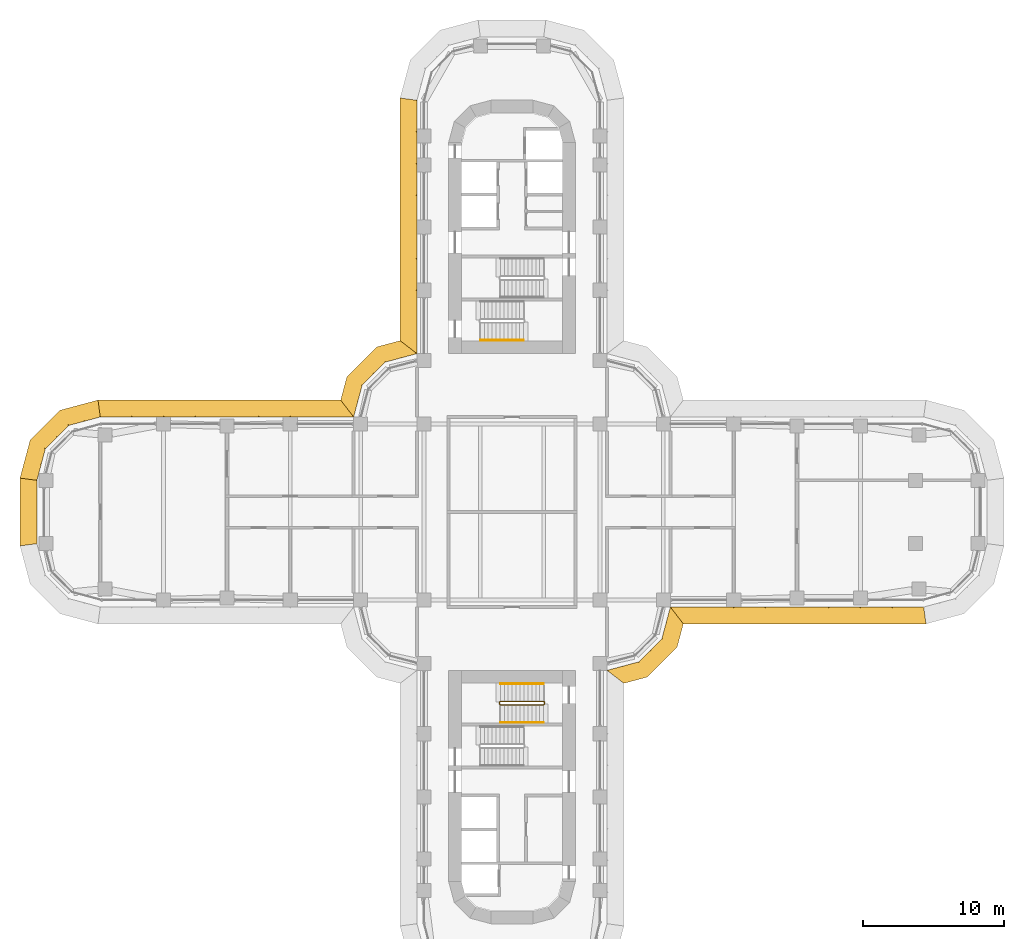
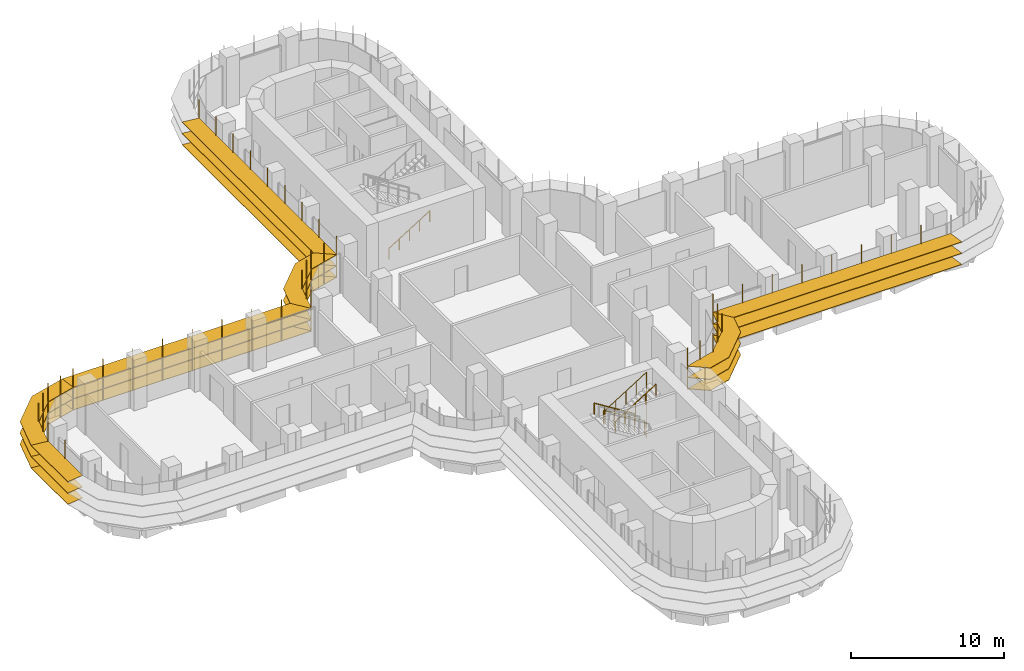
# One storey, part 21 of 23: 7 shading devices, 4 railings.
"""IFC4 building model written with IfcOpenShell, lengths in metres."""

import ifcopenshell
import ifcopenshell.guid

model = None  # the IFC model being written
_history = None  # IfcOwnerHistory: only IFC2X3 demands one
_inside = {}  # id of a spatial element -> (the spatial element, [elements in it])
_under = {}  # id of a project, library or spatial element -> (it, [spatial elements below it])
_declared = {}  # id of a project -> (the project, [libraries it declares])
_typed = {}  # id of a type object -> (the type object, [elements of that type])
_made_of = {}  # id of a material, layer set ... -> (it, [elements and type objects made of it])


def new_model(schema):
    """Start an empty IFC model of exactly this schema.

    Asked for "IFC4X3", IfcOpenShell would pick the latest addendum, in which some entities
    have other attributes; the version numbers below select the first issue.
    IFC2X3 requires an IfcOwnerHistory on every rooted entity: one is made here for all.
    """
    global model, _history
    if schema == "IFC4X3":
        model = ifcopenshell.file(schema_version=(4, 3, 0, 0))
    else:
        model = ifcopenshell.file(schema=schema)
    _inside.clear()
    _under.clear()
    _declared.clear()
    _typed.clear()
    _made_of.clear()
    _history = None
    if model.schema == "IFC2X3":
        org = make("IfcOrganization", Name="unknown")
        user = make(
            "IfcPersonAndOrganization",
            ThePerson=make("IfcPerson", FamilyName="unknown"),
            TheOrganization=org,
        )
        app = make(
            "IfcApplication",
            ApplicationDeveloper=org,
            Version="unknown",
            ApplicationFullName="unknown",
            ApplicationIdentifier="unknown",
        )
        _history = make(
            "IfcOwnerHistory",
            OwningUser=user,
            OwningApplication=app,
            ChangeAction="ADDED",
            CreationDate=0,
        )
    return model


def make(cls, **values):
    """One entity of the class cls with the attributes given. An attribute that is None is left unset."""
    return model.create_entity(
        cls, **{name: value for name, value in values.items() if value is not None}
    )


def rooted(cls, **values):
    """An entity with a GlobalId (a new one), such as an element, a storey or a relation."""
    return make(cls, GlobalId=ifcopenshell.guid.new(), OwnerHistory=_history, **values)


def si_unit(unit_type, name, prefix=None):
    """IfcSIUnit, for example si_unit("LENGTHUNIT", "METRE", prefix="MILLI")."""
    return make("IfcSIUnit", UnitType=unit_type, Prefix=prefix, Name=name)


def assignment(units):
    """IfcUnitAssignment: the units of a project."""
    return None if units is None else make("IfcUnitAssignment", Units=units)


def point(xyz):
    """IfcCartesianPoint."""
    return None if xyz is None else make("IfcCartesianPoint", Coordinates=xyz)


def direction(xyz):
    """IfcDirection."""
    return None if xyz is None else make("IfcDirection", DirectionRatios=xyz)


def frame(location, z_axis=None, x_axis=None):
    """IfcAxis2Placement3D, a coordinate frame: its origin and axes. An axis left out is left unset."""
    return make(
        "IfcAxis2Placement3D",
        Location=point(location),
        Axis=direction(z_axis),
        RefDirection=direction(x_axis),
    )


def frame_2d(location, x_axis=None):
    """IfcAxis2Placement2D, a coordinate frame in the plane: its origin and x axis."""
    return make(
        "IfcAxis2Placement2D", Location=point(location), RefDirection=direction(x_axis)
    )


def origin():
    """The frame at (0, 0, 0) with its axes left unset."""
    return frame((0.0, 0.0, 0.0))


def origin_2d():
    """The frame at (0, 0) in the plane with its x axis left unset."""
    return frame_2d((0.0, 0.0))


def place(relative_to, where):
    """IfcLocalPlacement: puts the frame where relative to a parent placement (None: the world)."""
    return make(
        "IfcLocalPlacement", PlacementRelTo=relative_to, RelativePlacement=where
    )


def context(
    kind, dimensions, precision=None, world=None, true_north=None, identifier=None
):
    """IfcGeometricRepresentationContext, for example the 3D "Model" context."""
    return make(
        "IfcGeometricRepresentationContext",
        ContextIdentifier=identifier,
        ContextType=kind,
        CoordinateSpaceDimension=dimensions,
        Precision=precision,
        WorldCoordinateSystem=world,
        TrueNorth=true_north,
    )


def subcontext(parent, identifier, kind, view, scale=None):
    """IfcGeometricRepresentationSubContext, for example "Body" below "Model"."""
    return make(
        "IfcGeometricRepresentationSubContext",
        ContextIdentifier=identifier,
        ContextType=kind,
        ParentContext=parent,
        TargetScale=scale,
        TargetView=view,
    )


def project(units=None, contexts=None):
    """IfcProject with its units and contexts."""
    return rooted(
        "IfcProject",
        Name="project",
        RepresentationContexts=contexts,
        UnitsInContext=assignment(units),
    )


def spatial(cls, under=None, at=None, **own):
    """A site, building, storey or space (cls), placed at a placement, below another one or the project."""
    s = rooted(cls, ObjectPlacement=at, **own)
    if under is not None:
        _under.setdefault(under.id(), (under, []))[1].append(s)
    return s


def polyline(points):
    """IfcPolyline through the points."""
    return make("IfcPolyline", Points=[point(p) for p in points])


def profile(cls, at=None, kind="AREA", **sizes):
    """A parametric profile (cls). Its sizes go by their IFC names, for example OverallWidth=200.0."""
    return make(cls, ProfileType=kind, Position=at, **sizes)


def circle(**sizes):
    """IfcCircleProfileDef."""
    return profile("IfcCircleProfileDef", **sizes)


def outline(outer, holes=None, kind="AREA"):
    """IfcArbitraryClosedProfileDef: a profile drawn as a closed curve; with holes, ...WithVoids."""
    if holes is None:
        return make("IfcArbitraryClosedProfileDef", ProfileType=kind, OuterCurve=outer)
    return make(
        "IfcArbitraryProfileDefWithVoids",
        ProfileType=kind,
        OuterCurve=outer,
        InnerCurves=holes,
    )


def extrude(swept, where, along, depth):
    """IfcExtrudedAreaSolid: the profile swept, set in the frame where, extruded along a direction by depth."""
    return make(
        "IfcExtrudedAreaSolid",
        SweptArea=swept,
        Position=where,
        ExtrudedDirection=direction(along),
        Depth=depth,
    )


def faces_of(points, faces, orient=None, outer=None):
    """IfcFace entities. A face is a list of loops; a loop is a list of indices into points, from 0.

    orient and outer hold one flag for each loop. By default every Orientation is true, the
    first loop of a face is its IfcFaceOuterBound and the others are IfcFaceBound.
    """
    made = []
    for i, loops in enumerate(faces):
        bounds = []
        for j, loop in enumerate(loops):
            is_outer = j == 0 if outer is None else outer[i][j]
            bounds.append(
                make(
                    "IfcFaceOuterBound" if is_outer else "IfcFaceBound",
                    Bound=make("IfcPolyLoop", Polygon=[points[k] for k in loop]),
                    Orientation=True if orient is None else orient[i][j],
                )
            )
        made.append(make("IfcFace", Bounds=bounds))
    return made


def faceted_brep(points, faces, orient=None, outer=None, voids=None):
    """IfcFacetedBrep: a solid bounded by flat faces; with voids (closed shells), ...WithVoids."""
    shared = [point(p) for p in points]
    hull = make("IfcClosedShell", CfsFaces=faces_of(shared, faces, orient, outer))
    if voids is None:
        return make("IfcFacetedBrep", Outer=hull)
    return make(
        "IfcFacetedBrepWithVoids",
        Outer=hull,
        Voids=[
            make(cls, CfsFaces=faces_of(shared, fs, o, b)) for cls, fs, o, b in voids
        ],
    )


def shape(context_of_items, identifier, shape_type, items):
    """IfcShapeRepresentation: the items that make up one representation, for example the "Body"."""
    return make(
        "IfcShapeRepresentation",
        ContextOfItems=context_of_items,
        RepresentationIdentifier=identifier,
        RepresentationType=shape_type,
        Items=items,
    )


def source(mapping_origin, context_of_items, identifier, shape_type, items):
    """IfcRepresentationMap: a shape defined once, which mapped items show again and again."""
    return make(
        "IfcRepresentationMap",
        MappingOrigin=mapping_origin,
        MappedRepresentation=shape(context_of_items, identifier, shape_type, items),
    )


def transform(
    local_origin,
    x_axis=None,
    y_axis=None,
    z_axis=None,
    scale=None,
    scale2=None,
    scale3=None,
    uniform=True,
):
    """IfcCartesianTransformationOperator3D, or its non-uniform kind. x_axis, y_axis, z_axis: its Axis1, 2, 3."""
    if uniform:
        return make(
            "IfcCartesianTransformationOperator3D",
            Axis1=direction(x_axis),
            Axis2=direction(y_axis),
            LocalOrigin=point(local_origin),
            Scale=scale,
            Axis3=direction(z_axis),
        )
    return make(
        "IfcCartesianTransformationOperator3DnonUniform",
        Axis1=direction(x_axis),
        Axis2=direction(y_axis),
        LocalOrigin=point(local_origin),
        Scale=scale,
        Axis3=direction(z_axis),
        Scale2=scale2,
        Scale3=scale3,
    )


def mapped(mapping_source, mapping_target):
    """IfcMappedItem: shows the shape of a source again, moved by a transform."""
    return make(
        "IfcMappedItem", MappingSource=mapping_source, MappingTarget=mapping_target
    )


def material(Name=None, Category=None):
    """IfcMaterial."""
    return make("IfcMaterial", Name=Name, Category=Category)


def made_of(thing, what):
    """Note that an element or type object is made of a material, layer set ...; save() writes the relation."""
    if what is not None:
        _made_of.setdefault(what.id(), (what, []))[1].append(thing)
    return thing


def type_object(cls, material=None, **own):
    """A type object (cls), such as IfcWallType, which elements share."""
    return made_of(rooted(cls, **own), material)


def element(
    cls,
    number,
    at=None,
    inside=None,
    cuts=None,
    type_object=None,
    material=None,
    context=None,
    identifier="Body",
    shape_type=None,
    held_by="IfcProductDefinitionShape",
    body=None,
    shapes=None,
    **own,
):
    """One element of the class cls, such as IfcWall. Its Tag is "e" and its number.

    at: its placement. inside: the storey or other place that contains it. cuts: it is an
    opening in that element (IfcRelVoidsElement). A single representation is given by context,
    identifier, shape_type and body (its items); several are given by shapes. held_by: the class
    of the entity that holds the representations. save() writes the other relations.
    """
    e = rooted(cls, Tag="e%d" % number, ObjectPlacement=at, **own)
    if body is not None:
        shapes = [shape(context, identifier, shape_type, body)]
    if shapes is not None:
        e.Representation = make(held_by, Representations=shapes)
    if inside is not None:
        _inside.setdefault(inside.id(), (inside, []))[1].append(e)
    if cuts is not None:
        rooted(
            "IfcRelVoidsElement", RelatingBuildingElement=cuts, RelatedOpeningElement=e
        )
    if type_object is not None:
        _typed.setdefault(type_object.id(), (type_object, []))[1].append(e)
    return made_of(e, material)


def aggregate(whole, parts):
    """IfcRelAggregates: a whole, such as a stair, and the parts it consists of."""
    return rooted("IfcRelAggregates", RelatingObject=whole, RelatedObjects=parts)


def save(model, path):
    """Write the relations noted so far, then the file.

    IfcRelAggregates (storeys below a building ...), IfcRelContainedInSpatialStructure (elements
    in a storey), IfcRelDefinesByType, IfcRelAssociatesMaterial and IfcRelDeclares: one each for
    every whole, place, type object, material and project.
    """
    for whole, parts in _under.values():
        aggregate(whole, parts)
    for where, things in _inside.values():
        rooted(
            "IfcRelContainedInSpatialStructure",
            RelatedElements=things,
            RelatingStructure=where,
        )
    for kind, things in _typed.values():
        rooted("IfcRelDefinesByType", RelatedObjects=things, RelatingType=kind)
    for what, things in _made_of.values():
        rooted("IfcRelAssociatesMaterial", RelatedObjects=things, RelatingMaterial=what)
    for by, libraries in _declared.values():
        rooted("IfcRelDeclares", RelatingContext=by, RelatedDefinitions=libraries)
    model.write(path)


model = new_model("IFC4")

# Units and contexts
model_context = context("Model", 3, precision=1e-05, world=origin(), true_north=direction((0.0, 1.0)))
body_context = subcontext(model_context, "Body", "Model", "MODEL_VIEW")
ifc_project = project(units=[si_unit("LENGTHUNIT", "METRE"), si_unit("AREAUNIT", "SQUARE_METRE"), si_unit("VOLUMEUNIT", "CUBIC_METRE"), si_unit("PLANEANGLEUNIT", "RADIAN"), si_unit("MASSUNIT", "GRAM", prefix="KILO")], contexts=[model_context])

# Site, building, storey
site_placement = place(None, origin())
site = spatial("IfcSite", under=ifc_project, at=site_placement, CompositionType="ELEMENT")
building_placement = place(site_placement, origin())
building = spatial("IfcBuilding", under=site, at=building_placement, Name="Zarbagh Exchange Tower", CompositionType="ELEMENT")
storey_placement = place(building_placement, frame((0.0, 0.0, 43.800048828125)))
storey = spatial("IfcBuildingStorey", under=building, at=storey_placement, Name="L09", CompositionType="ELEMENT", Elevation=43.800048828125)

# Railings
ifc_material_1 = material(Name="Stainless steel", Category="steel")
railing_type_1 = type_object("IfcRailingType", Name="Stair guard 1100 mm", PredefinedType="GUARDRAIL", material=ifc_material_1)
railing_1_placement = place(storey_placement, frame((-0.8798828125, -13.5, 2.099853515625)))
element("IfcRailing", 1, at=railing_1_placement, inside=storey, type_object=railing_type_1, Name="ST4 stair guard 1", PredefinedType="GUARDRAIL", context=body_context, shape_type="SweptSolid", body=[
    extrude(circle(Radius=0.02392578125, at=origin_2d()), frame((0.0, 0.0, 1.076171875), z_axis=(0.0, -1.0, 0.0), x_axis=(1.0, 0.0, 0.0)), (0.0, 0.0, 1.0), 0.14990234375),
    extrude(circle(Radius=0.02392578125, at=origin_2d()), frame((0.0, -0.14990234375, 1.076171875), z_axis=(0.263862480399, -0.265155923931, 0.927399011991), x_axis=(0.708833529934, 0.705375805398, 0.0)), (0.0, 0.0, 1.0), 0.188720703125),
    extrude(circle(Radius=0.02392578125, at=origin_2d()), frame((0.0498046875, -0.199951171875, 1.2509765625), z_axis=(0.847998304005, 0.0, 0.529998940003), x_axis=(0.0, 1.0, 0.0)), (0.0, 0.0, 1.0), 3.632080078125),
    extrude(circle(Radius=0.02392578125, at=origin_2d()), frame((3.1298828125, -0.199951171875, 3.17626953125), z_axis=(0.011914834358, 0.011914834358, -0.999858026644), x_axis=(-0.707106781187, 0.707106781187, 0.0)), (0.0, 0.0, 1.0), 4.200439453125),
    extrude(circle(Radius=0.02392578125, at=origin_2d()), frame((3.179931640625, -0.14990234375, -1.02392578125), z_axis=(0.0, 1.0, 0.0), x_axis=(-1.0, 0.0, 0.0)), (0.0, 0.0, 1.0), 0.14990234375),
    extrude(circle(Radius=0.02392578125, at=origin_2d()), frame((3.179931640625, 0.0, -1.02392578125), z_axis=(-0.265065253269, 0.265065253269, 0.927081885822), x_axis=(-0.707106781187, -0.707106781187, 0.0)), (0.0, 0.0, 1.0), 0.188720703125),
    extrude(circle(Radius=0.02392578125, at=origin_2d()), frame((3.1298828125, 0.050048828125, -0.8486328125), z_axis=(-0.848028513186, 0.0, 0.529950602248), x_axis=(0.0, -1.0, 0.0)), (0.0, 0.0, 1.0), 3.632080078125),
    extrude(circle(Radius=0.02099609375, at=origin_2d()), origin(), (0.0, 0.0, 1.0), 1.052001953125),
    extrude(circle(Radius=0.02099609375, at=origin_2d()), frame((0.0, -0.14990234375, 0.0)), (0.0, 0.0, 1.0), 1.052001953125),
    extrude(circle(Radius=0.02099609375, at=origin_2d()), frame((0.0498046875, -0.199951171875, 0.175048828125)), (0.0, 0.0, 1.0), 1.052001953125),
    extrude(circle(Radius=0.02099609375, at=origin_2d()), frame((0.81982421875, -0.199951171875, 0.65625)), (0.0, 0.0, 1.0), 1.052001953125),
    extrude(circle(Radius=0.02099609375, at=origin_2d()), frame((1.58984375, -0.199951171875, 1.1376953125)), (0.0, 0.0, 1.0), 1.052001953125),
    extrude(circle(Radius=0.02099609375, at=origin_2d()), frame((2.35986328125, -0.199951171875, 1.618896484375)), (0.0, 0.0, 1.0), 1.052001953125),
    extrude(circle(Radius=0.02099609375, at=origin_2d()), frame((3.1298828125, -0.199951171875, 2.10009765625)), (0.0, 0.0, 1.0), 1.052001953125),
    extrude(circle(Radius=0.02099609375, at=origin_2d()), frame((3.142333984375, -0.1875, 1.050048828125)), (0.0, 0.0, 1.0), 1.052001953125),
    extrude(circle(Radius=0.02099609375, at=origin_2d()), frame((3.15478515625, -0.1748046875, 0.0)), (0.0, 0.0, 1.0), 1.052001953125),
    extrude(circle(Radius=0.02099609375, at=origin_2d()), frame((3.16748046875, -0.162353515625, -1.0498046875)), (0.0, 0.0, 1.0), 1.052001953125),
    extrude(circle(Radius=0.02099609375, at=origin_2d()), frame((3.179931640625, -0.14990234375, -2.099853515625)), (0.0, 0.0, 1.0), 1.052001953125),
    extrude(circle(Radius=0.02099609375, at=origin_2d()), frame((3.179931640625, 0.0, -2.099853515625)), (0.0, 0.0, 1.0), 1.052001953125),
    extrude(circle(Radius=0.02099609375, at=origin_2d()), frame((3.1298828125, 0.050048828125, -1.9248046875)), (0.0, 0.0, 1.0), 1.052001953125),
    extrude(circle(Radius=0.02099609375, at=origin_2d()), frame((2.35986328125, 0.050048828125, -1.443603515625)), (0.0, 0.0, 1.0), 1.052001953125),
    extrude(circle(Radius=0.02099609375, at=origin_2d()), frame((1.58984375, 0.050048828125, -0.96240234375)), (0.0, 0.0, 1.0), 1.052001953125),
    extrude(circle(Radius=0.02099609375, at=origin_2d()), frame((0.81982421875, 0.050048828125, -0.481201171875)), (0.0, 0.0, 1.0), 1.052001953125),
    extrude(circle(Radius=0.02099609375, at=origin_2d()), frame((0.0498046875, 0.050048828125, 0.0)), (0.0, 0.0, 1.0), 1.052001953125),
])
railing_type_2 = type_object("IfcRailingType", Name="Stair handrail 900 mm", PredefinedType="HANDRAIL", material=ifc_material_1)
railing_2_placement = place(storey_placement, frame((-2.25, 12.199951171875, 0.175048828125)))
element("IfcRailing", 2, at=railing_2_placement, inside=storey, type_object=railing_type_2, Name="ST2 stair handrail 1", PredefinedType="HANDRAIL", context=body_context, shape_type="SweptSolid", body=[
    extrude(circle(Radius=0.02392578125, at=origin_2d()), frame((0.0, 0.0, 0.8759765625), z_axis=(0.848028513186, 0.0, 0.529950602248), x_axis=(0.0, 1.0, 0.0)), (0.0, 0.0, 1.0), 3.632080078125),
    extrude(circle(Radius=0.02099609375, at=origin_2d()), origin(), (0.0, 0.0, 1.0), 0.851806640625),
    extrude(circle(Radius=0.02099609375, at=origin_2d()), frame((0.77001953125, 0.0, 0.481201171875)), (0.0, 0.0, 1.0), 0.851806640625),
    extrude(circle(Radius=0.02099609375, at=origin_2d()), frame((1.5400390625, 0.0, 0.96240234375)), (0.0, 0.0, 1.0), 0.851806640625),
    extrude(circle(Radius=0.02099609375, at=origin_2d()), frame((2.31005859375, 0.0, 1.443603515625)), (0.0, 0.0, 1.0), 0.851806640625),
    extrude(circle(Radius=0.02099609375, at=origin_2d()), frame((3.080078125, 0.0, 1.9248046875)), (0.0, 0.0, 1.0), 0.851806640625),
])
railing_3_placement = place(storey_placement, frame((2.25, -12.199951171875, 0.175048828125)))
element("IfcRailing", 3, at=railing_3_placement, inside=storey, type_object=railing_type_2, Name="ST4 stair handrail 1", PredefinedType="HANDRAIL", context=body_context, shape_type="SweptSolid", body=[
    extrude(circle(Radius=0.02392578125, at=origin_2d()), frame((0.0, 0.0, 0.8759765625), z_axis=(-0.848028513186, 0.0, 0.529950602248), x_axis=(0.0, -1.0, 0.0)), (0.0, 0.0, 1.0), 3.632080078125),
    extrude(circle(Radius=0.02099609375, at=origin_2d()), origin(), (0.0, 0.0, 1.0), 0.851806640625),
    extrude(circle(Radius=0.02099609375, at=origin_2d()), frame((-0.77001953125, 0.0, 0.481201171875)), (0.0, 0.0, 1.0), 0.851806640625),
    extrude(circle(Radius=0.02099609375, at=origin_2d()), frame((-1.5400390625, 0.0, 0.96240234375)), (0.0, 0.0, 1.0), 0.851806640625),
    extrude(circle(Radius=0.02099609375, at=origin_2d()), frame((-2.31005859375, 0.0, 1.443603515625)), (0.0, 0.0, 1.0), 0.851806640625),
    extrude(circle(Radius=0.02099609375, at=origin_2d()), frame((-3.080078125, 0.0, 1.9248046875)), (0.0, 0.0, 1.0), 0.851806640625),
])
railing_4_placement = place(storey_placement, frame((-0.830078125, -14.949951171875, 2.27490234375)))
element("IfcRailing", 4, at=railing_4_placement, inside=storey, type_object=railing_type_2, Name="ST4 stair handrail 2", PredefinedType="HANDRAIL", context=body_context, shape_type="SweptSolid", body=[
    extrude(circle(Radius=0.02392578125, at=origin_2d()), frame((0.0, 0.0, 0.8759765625), z_axis=(0.847998304005, 0.0, 0.529998940003), x_axis=(0.0, 1.0, 0.0)), (0.0, 0.0, 1.0), 3.632080078125),
    extrude(circle(Radius=0.02099609375, at=origin_2d()), origin(), (0.0, 0.0, 1.0), 0.851806640625),
    extrude(circle(Radius=0.02099609375, at=origin_2d()), frame((0.77001953125, 0.0, 0.481201171875)), (0.0, 0.0, 1.0), 0.851806640625),
    extrude(circle(Radius=0.02099609375, at=origin_2d()), frame((1.5400390625, 0.0, 0.96240234375)), (0.0, 0.0, 1.0), 0.851806640625),
    extrude(circle(Radius=0.02099609375, at=origin_2d()), frame((2.31005859375, 0.0, 1.44384765625)), (0.0, 0.0, 1.0), 0.851806640625),
    extrude(circle(Radius=0.02099609375, at=origin_2d()), frame((3.080078125, 0.0, 1.925048828125)), (0.0, 0.0, 1.0), 0.851806640625),
])

# Shading devices
ifc_material_2 = material(Name="Anodised aluminium blades and brackets", Category="aluminium")
shading_device_type = type_object("IfcShadingDeviceType", Name="SUNSHADE louvre band, 0 degree blades", PredefinedType="JALOUSIE", material=ifc_material_2)
shared_shape_1 = source(origin(), body_context, "Body", "Brep", [
    faceted_brep([(0.0, 0.0, 0.0), (0.0, 0.0, -0.0400390625), (-0.157958984375, -1.199951171875, -0.0400390625), (-0.157958984375, -1.199951171875, 0.0), (2.65087890625, -1.199951171875, 0.0), (2.65087890625, -1.199951171875, -0.0400390625), (2.329345703125, 0.0, -0.0400390625), (2.329345703125, 0.0, 0.0)], [[[0, 1, 2, 3]], [[4, 5, 6, 7]], [[0, 7, 6, 1]], [[1, 6, 5, 2]], [[2, 5, 4, 3]], [[3, 4, 7, 0]]]),
])
shared_shape_2 = source(origin(), body_context, "Body", "Brep", [
    faceted_brep([(0.0, 0.0, 0.0), (0.0, 0.0, -0.0400390625), (-0.321533203125, -1.199951171875, -0.0400390625), (-0.321533203125, -1.199951171875, 0.0), (2.65087890625, -1.199951171875, 0.0), (2.65087890625, -1.199951171875, -0.0400390625), (2.329345703125, 0.0, -0.0400390625), (2.329345703125, 0.0, 0.0)], [[[0, 1, 2, 3]], [[4, 5, 6, 7]], [[0, 7, 6, 1]], [[1, 6, 5, 2]], [[2, 5, 4, 3]], [[3, 4, 7, 0]]]),
])
shared_shape_3 = source(origin(), body_context, "Body", "Brep", [
    faceted_brep([(0.0, 0.0, 0.0), (0.0, 0.0, -0.0400390625), (-0.321533203125, -1.199951171875, -0.0400390625), (-0.321533203125, -1.199951171875, 0.0), (2.4873046875, -1.199951171875, 0.0), (2.4873046875, -1.199951171875, -0.0400390625), (2.329345703125, 0.0, -0.0400390625), (2.329345703125, 0.0, 0.0)], [[[0, 1, 2, 3]], [[4, 5, 6, 7]], [[0, 7, 6, 1]], [[1, 6, 5, 2]], [[2, 5, 4, 3]], [[3, 4, 7, 0]]]),
])
shared_shape_4 = source(origin(), body_context, "Body", "SweptSolid", [
    extrude(outline(polyline([(0.0, -0.012451171875), (0.06005859375, -0.012451171875), (0.06005859375, 0.012451171875), (0.0, 0.012451171875), (0.0, -0.012451171875)])), origin(), (0.0, 0.0, 1.0), 3.35009765625),
])
placement = place(storey_placement, origin())
element("IfcShadingDevice", 5, at=placement, inside=storey, type_object=shading_device_type, Name="SS17 sunshade band", PredefinedType="JALOUSIE", context=body_context, shape_type="MappedRepresentation", body=[
    mapped(shared_shape_1, transform((-29.25, 6.75, 2.699951171875), x_axis=(-0.965924289636, -0.258824779902, 0.0), y_axis=(0.258824779902, -0.965924289636, 0.0), z_axis=(0.0, 0.0, 1.0))),
    mapped(shared_shape_1, transform((-29.25, 6.75, 1.800048828125), x_axis=(-0.965924289636, -0.258824779902, 0.0), y_axis=(0.258824779902, -0.965924289636, 0.0), z_axis=(0.0, 0.0, 1.0))),
    mapped(shared_shape_1, transform((-29.25, 6.75, 0.89990234375), x_axis=(-0.965924289636, -0.258824779902, 0.0), y_axis=(0.258824779902, -0.965924289636, 0.0), z_axis=(0.0, 0.0, 1.0))),
    mapped(shared_shape_2, transform((-31.5, 6.147216796875, 2.699951171875), x_axis=(-0.707106781187, -0.707106781187, 0.0), y_axis=(0.707106781187, -0.707106781187, 0.0), z_axis=(0.0, 0.0, 1.0))),
    mapped(shared_shape_2, transform((-31.5, 6.147216796875, 1.800048828125), x_axis=(-0.707106781187, -0.707106781187, 0.0), y_axis=(0.707106781187, -0.707106781187, 0.0), z_axis=(0.0, 0.0, 1.0))),
    mapped(shared_shape_2, transform((-31.5, 6.147216796875, 0.89990234375), x_axis=(-0.707106781187, -0.707106781187, 0.0), y_axis=(0.707106781187, -0.707106781187, 0.0), z_axis=(0.0, 0.0, 1.0))),
    mapped(shared_shape_3, transform((-33.147216796875, 4.5, 2.699951171875), x_axis=(-0.258824779902, -0.965924289636, 0.0), y_axis=(0.965924289636, -0.258824779902, 0.0), z_axis=(0.0, 0.0, 1.0))),
    mapped(shared_shape_3, transform((-33.147216796875, 4.5, 1.800048828125), x_axis=(-0.258824779902, -0.965924289636, 0.0), y_axis=(0.965924289636, -0.258824779902, 0.0), z_axis=(0.0, 0.0, 1.0))),
    mapped(shared_shape_3, transform((-33.147216796875, 4.5, 0.89990234375), x_axis=(-0.258824779902, -0.965924289636, 0.0), y_axis=(0.965924289636, -0.258824779902, 0.0), z_axis=(0.0, 0.0, 1.0))),
    mapped(shared_shape_4, transform((-29.25, 6.75, 0.829833984375), x_axis=(-0.130529263012, 0.991444457092, 0.0), y_axis=(-0.991444457092, -0.130529263012, 0.0), z_axis=(0.0, 0.0, 1.0))),
    mapped(shared_shape_4, transform((-30.375, 6.448486328125, 0.829833984375), x_axis=(-0.258825058029, 0.96592421511, 0.0), y_axis=(-0.96592421511, -0.258825058029, 0.0), z_axis=(0.0, 0.0, 1.0))),
    mapped(shared_shape_4, transform((-31.5, 6.147216796875, 0.829833984375), x_axis=(-0.50000275701, 0.866023812018, 0.0), y_axis=(-0.866023812018, -0.50000275701, 0.0), z_axis=(0.0, 0.0, 1.0))),
    mapped(shared_shape_4, transform((-32.323486328125, 5.323486328125, 0.829833984375), x_axis=(-0.707106781187, 0.707106781187, 0.0), y_axis=(-0.707106781187, -0.707106781187, 0.0), z_axis=(0.0, 0.0, 1.0))),
    mapped(shared_shape_4, transform((-33.147216796875, 4.5, 0.829833984375), x_axis=(-0.866023812018, 0.50000275701, 0.0), y_axis=(-0.50000275701, -0.866023812018, 0.0), z_axis=(0.0, 0.0, 1.0))),
    mapped(shared_shape_4, transform((-33.448486328125, 3.375, 0.829833984375), x_axis=(-0.96592421511, 0.258825058029, 0.0), y_axis=(-0.258825058029, -0.96592421511, 0.0), z_axis=(0.0, 0.0, 1.0))),
])
shared_shape_5 = source(origin(), body_context, "Body", "Brep", [
    faceted_brep([(0.0, 0.0, 0.0), (0.0, 0.0, -0.0400390625), (0.9208984375, -1.199951171875, -0.0400390625), (0.9208984375, -1.199951171875, 0.0), (2.65087890625, -1.199951171875, 0.0), (2.65087890625, -1.199951171875, -0.0400390625), (2.329345703125, 0.0, -0.0400390625), (2.329345703125, 0.0, 0.0)], [[[0, 1, 2, 3]], [[4, 5, 6, 7]], [[0, 7, 6, 1]], [[1, 6, 5, 2]], [[2, 5, 4, 3]], [[3, 4, 7, 0]]]),
])
shared_shape_6 = source(origin(), body_context, "Body", "Brep", [
    faceted_brep([(0.0, 0.0, 0.0), (0.0, 0.0, -0.0400390625), (-0.321533203125, -1.199951171875, -0.0400390625), (-0.321533203125, -1.199951171875, 0.0), (1.40869140625, -1.199951171875, 0.0), (1.40869140625, -1.199951171875, -0.0400390625), (2.329345703125, 0.0, -0.0400390625), (2.329345703125, 0.0, 0.0)], [[[0, 1, 2, 3]], [[4, 5, 6, 7]], [[0, 7, 6, 1]], [[1, 6, 5, 2]], [[2, 5, 4, 3]], [[3, 4, 7, 0]]]),
])
element("IfcShadingDevice", 6, at=placement, inside=storey, type_object=shading_device_type, Name="SS03 sunshade band", PredefinedType="JALOUSIE", context=body_context, shape_type="MappedRepresentation", body=[
    mapped(shared_shape_5, transform((6.75, -11.25, 2.699951171875), x_axis=(0.965924289636, 0.258824779902, 0.0), y_axis=(-0.258824779902, 0.965924289636, 0.0), z_axis=(0.0, 0.0, 1.0))),
    mapped(shared_shape_5, transform((6.75, -11.25, 1.800048828125), x_axis=(0.965924289636, 0.258824779902, 0.0), y_axis=(-0.258824779902, 0.965924289636, 0.0), z_axis=(0.0, 0.0, 1.0))),
    mapped(shared_shape_5, transform((6.75, -11.25, 0.89990234375), x_axis=(0.965924289636, 0.258824779902, 0.0), y_axis=(-0.258824779902, 0.965924289636, 0.0), z_axis=(0.0, 0.0, 1.0))),
    mapped(shared_shape_2, transform((9.0, -10.647216796875, 2.699951171875), x_axis=(0.707106781187, 0.707106781187, 0.0), y_axis=(-0.707106781187, 0.707106781187, 0.0), z_axis=(0.0, 0.0, 1.0))),
    mapped(shared_shape_2, transform((9.0, -10.647216796875, 1.800048828125), x_axis=(0.707106781187, 0.707106781187, 0.0), y_axis=(-0.707106781187, 0.707106781187, 0.0), z_axis=(0.0, 0.0, 1.0))),
    mapped(shared_shape_2, transform((9.0, -10.647216796875, 0.89990234375), x_axis=(0.707106781187, 0.707106781187, 0.0), y_axis=(-0.707106781187, 0.707106781187, 0.0), z_axis=(0.0, 0.0, 1.0))),
    mapped(shared_shape_6, transform((10.647216796875, -9.0, 2.699951171875), x_axis=(0.258824779902, 0.965924289636, 0.0), y_axis=(-0.965924289636, 0.258824779902, 0.0), z_axis=(0.0, 0.0, 1.0))),
    mapped(shared_shape_6, transform((10.647216796875, -9.0, 1.800048828125), x_axis=(0.258824779902, 0.965924289636, 0.0), y_axis=(-0.965924289636, 0.258824779902, 0.0), z_axis=(0.0, 0.0, 1.0))),
    mapped(shared_shape_6, transform((10.647216796875, -9.0, 0.89990234375), x_axis=(0.258824779902, 0.965924289636, 0.0), y_axis=(-0.965924289636, 0.258824779902, 0.0), z_axis=(0.0, 0.0, 1.0))),
    mapped(shared_shape_4, transform((6.75, -11.25, 0.829833984375), x_axis=(0.793355287, -0.608758892, 0.0), y_axis=(0.608758892, 0.793355287, 0.0), z_axis=(0.0, 0.0, 1.0))),
    mapped(shared_shape_4, transform((7.875, -10.948486328125, 0.829833984375), x_axis=(0.258825058029, -0.96592421511, 0.0), y_axis=(0.96592421511, 0.258825058029, 0.0), z_axis=(0.0, 0.0, 1.0))),
    mapped(shared_shape_4, transform((9.0, -10.647216796875, 0.829833984375), x_axis=(0.50000275701, -0.866023812018, 0.0), y_axis=(0.866023812018, 0.50000275701, 0.0), z_axis=(0.0, 0.0, 1.0))),
    mapped(shared_shape_4, transform((9.823486328125, -9.823486328125, 0.829833984375), x_axis=(0.707106781187, -0.707106781187, 0.0), y_axis=(0.707106781187, 0.707106781187, 0.0), z_axis=(0.0, 0.0, 1.0))),
    mapped(shared_shape_4, transform((10.647216796875, -9.0, 0.829833984375), x_axis=(0.866023812018, -0.50000275701, 0.0), y_axis=(0.50000275701, 0.866023812018, 0.0), z_axis=(0.0, 0.0, 1.0))),
    mapped(shared_shape_4, transform((10.948486328125, -7.875, 0.829833984375), x_axis=(0.96592421511, -0.258825058029, 0.0), y_axis=(0.258825058029, 0.96592421511, 0.0), z_axis=(0.0, 0.0, 1.0))),
])
element("IfcShadingDevice", 7, at=placement, inside=storey, type_object=shading_device_type, Name="SS15 sunshade band", PredefinedType="JALOUSIE", context=body_context, shape_type="MappedRepresentation", body=[
    mapped(shared_shape_5, transform((-6.75, 11.25, 2.699951171875), x_axis=(-0.965924289636, -0.258824779902, 0.0), y_axis=(0.258824779902, -0.965924289636, 0.0), z_axis=(0.0, 0.0, 1.0))),
    mapped(shared_shape_5, transform((-6.75, 11.25, 1.800048828125), x_axis=(-0.965924289636, -0.258824779902, 0.0), y_axis=(0.258824779902, -0.965924289636, 0.0), z_axis=(0.0, 0.0, 1.0))),
    mapped(shared_shape_5, transform((-6.75, 11.25, 0.89990234375), x_axis=(-0.965924289636, -0.258824779902, 0.0), y_axis=(0.258824779902, -0.965924289636, 0.0), z_axis=(0.0, 0.0, 1.0))),
    mapped(shared_shape_2, transform((-9.0, 10.647216796875, 2.699951171875), x_axis=(-0.707106781187, -0.707106781187, 0.0), y_axis=(0.707106781187, -0.707106781187, 0.0), z_axis=(0.0, 0.0, 1.0))),
    mapped(shared_shape_2, transform((-9.0, 10.647216796875, 1.800048828125), x_axis=(-0.707106781187, -0.707106781187, 0.0), y_axis=(0.707106781187, -0.707106781187, 0.0), z_axis=(0.0, 0.0, 1.0))),
    mapped(shared_shape_2, transform((-9.0, 10.647216796875, 0.89990234375), x_axis=(-0.707106781187, -0.707106781187, 0.0), y_axis=(0.707106781187, -0.707106781187, 0.0), z_axis=(0.0, 0.0, 1.0))),
    mapped(shared_shape_6, transform((-10.647216796875, 9.0, 2.699951171875), x_axis=(-0.258824779902, -0.965924289636, 0.0), y_axis=(0.965924289636, -0.258824779902, 0.0), z_axis=(0.0, 0.0, 1.0))),
    mapped(shared_shape_6, transform((-10.647216796875, 9.0, 1.800048828125), x_axis=(-0.258824779902, -0.965924289636, 0.0), y_axis=(0.965924289636, -0.258824779902, 0.0), z_axis=(0.0, 0.0, 1.0))),
    mapped(shared_shape_6, transform((-10.647216796875, 9.0, 0.89990234375), x_axis=(-0.258824779902, -0.965924289636, 0.0), y_axis=(0.965924289636, -0.258824779902, 0.0), z_axis=(0.0, 0.0, 1.0))),
    mapped(shared_shape_4, transform((-6.75, 11.25, 0.829833984375), x_axis=(-0.793355287, 0.608758892, 0.0), y_axis=(-0.608758892, -0.793355287, 0.0), z_axis=(0.0, 0.0, 1.0))),
    mapped(shared_shape_4, transform((-7.875, 10.948486328125, 0.829833984375), x_axis=(-0.258825058029, 0.96592421511, 0.0), y_axis=(-0.96592421511, -0.258825058029, 0.0), z_axis=(0.0, 0.0, 1.0))),
    mapped(shared_shape_4, transform((-9.0, 10.647216796875, 0.829833984375), x_axis=(-0.50000275701, 0.866023812018, 0.0), y_axis=(-0.866023812018, -0.50000275701, 0.0), z_axis=(0.0, 0.0, 1.0))),
    mapped(shared_shape_4, transform((-9.823486328125, 9.823486328125, 0.829833984375), x_axis=(-0.707106781187, 0.707106781187, 0.0), y_axis=(-0.707106781187, -0.707106781187, 0.0), z_axis=(0.0, 0.0, 1.0))),
    mapped(shared_shape_4, transform((-10.647216796875, 9.0, 0.829833984375), x_axis=(-0.866023812018, 0.50000275701, 0.0), y_axis=(-0.50000275701, -0.866023812018, 0.0), z_axis=(0.0, 0.0, 1.0))),
    mapped(shared_shape_4, transform((-10.948486328125, 7.875, 0.829833984375), x_axis=(-0.96592421511, 0.258825058029, 0.0), y_axis=(-0.258825058029, -0.96592421511, 0.0), z_axis=(0.0, 0.0, 1.0))),
])
shared_shape_7 = source(origin(), body_context, "Body", "Brep", [
    faceted_brep([(0.0, 0.0, 0.0), (0.0, 0.0, -0.0400390625), (0.9208984375, -1.199951171875, -0.0400390625), (0.9208984375, -1.199951171875, 0.0), (18.157958984375, -1.199951171875, 0.0), (18.157958984375, -1.199951171875, -0.0400390625), (18.0, 0.0, -0.0400390625), (18.0, 0.0, 0.0)], [[[0, 1, 2, 3]], [[4, 5, 6, 7]], [[0, 7, 6, 1]], [[1, 6, 5, 2]], [[2, 5, 4, 3]], [[3, 4, 7, 0]]]),
])
element("IfcShadingDevice", 8, at=placement, inside=storey, type_object=shading_device_type, Name="SS04 sunshade band", PredefinedType="JALOUSIE", context=body_context, shape_type="MappedRepresentation", body=[
    mapped(shared_shape_7, transform((11.25, -6.75, 2.699951171875), x_axis=(1.0, 0.0, 0.0), y_axis=(0.0, 1.0, 0.0), z_axis=(0.0, 0.0, 1.0))),
    mapped(shared_shape_7, transform((11.25, -6.75, 1.800048828125), x_axis=(1.0, 0.0, 0.0), y_axis=(0.0, 1.0, 0.0), z_axis=(0.0, 0.0, 1.0))),
    mapped(shared_shape_7, transform((11.25, -6.75, 0.89990234375), x_axis=(1.0, 0.0, 0.0), y_axis=(0.0, 1.0, 0.0), z_axis=(0.0, 0.0, 1.0))),
    mapped(shared_shape_4, transform((11.25, -6.75, 0.829833984375), x_axis=(0.608758892, -0.793355287, 0.0), y_axis=(0.793355287, 0.608758892, 0.0), z_axis=(0.0, 0.0, 1.0))),
    mapped(shared_shape_4, transform((13.5, -6.75, 0.829833984375), x_axis=(0.0, -1.0, 0.0), y_axis=(1.0, 0.0, 0.0), z_axis=(0.0, 0.0, 1.0))),
    mapped(shared_shape_4, transform((15.75, -6.75, 0.829833984375), x_axis=(0.0, -1.0, 0.0), y_axis=(1.0, 0.0, 0.0), z_axis=(0.0, 0.0, 1.0))),
    mapped(shared_shape_4, transform((18.0, -6.75, 0.829833984375), x_axis=(0.0, -1.0, 0.0), y_axis=(1.0, 0.0, 0.0), z_axis=(0.0, 0.0, 1.0))),
    mapped(shared_shape_4, transform((20.25, -6.75, 0.829833984375), x_axis=(0.0, -1.0, 0.0), y_axis=(1.0, 0.0, 0.0), z_axis=(0.0, 0.0, 1.0))),
    mapped(shared_shape_4, transform((22.5, -6.75, 0.829833984375), x_axis=(0.0, -1.0, 0.0), y_axis=(1.0, 0.0, 0.0), z_axis=(0.0, 0.0, 1.0))),
    mapped(shared_shape_4, transform((24.75, -6.75, 0.829833984375), x_axis=(0.0, -1.0, 0.0), y_axis=(1.0, 0.0, 0.0), z_axis=(0.0, 0.0, 1.0))),
    mapped(shared_shape_4, transform((27.0, -6.75, 0.829833984375), x_axis=(0.0, -1.0, 0.0), y_axis=(1.0, 0.0, 0.0), z_axis=(0.0, 0.0, 1.0))),
])
shared_shape_8 = source(origin(), body_context, "Body", "Brep", [
    faceted_brep([(0.0, 0.0, 0.0), (0.0, 0.0, -0.0400390625), (-0.157958984375, -1.199951171875, -0.0400390625), (-0.157958984375, -1.199951171875, 0.0), (17.0791015625, -1.199951171875, 0.0), (17.0791015625, -1.199951171875, -0.0400390625), (18.0, 0.0, -0.0400390625), (18.0, 0.0, 0.0)], [[[0, 1, 2, 3]], [[4, 5, 6, 7]], [[0, 7, 6, 1]], [[1, 6, 5, 2]], [[2, 5, 4, 3]], [[3, 4, 7, 0]]]),
])
element("IfcShadingDevice", 9, at=placement, inside=storey, type_object=shading_device_type, Name="SS14 sunshade band", PredefinedType="JALOUSIE", context=body_context, shape_type="MappedRepresentation", body=[
    mapped(shared_shape_8, transform((-6.75, 29.25, 2.699951171875), x_axis=(0.0, -1.0, 0.0), y_axis=(1.0, 0.0, 0.0), z_axis=(0.0, 0.0, 1.0))),
    mapped(shared_shape_8, transform((-6.75, 29.25, 1.800048828125), x_axis=(0.0, -1.0, 0.0), y_axis=(1.0, 0.0, 0.0), z_axis=(0.0, 0.0, 1.0))),
    mapped(shared_shape_8, transform((-6.75, 29.25, 0.89990234375), x_axis=(0.0, -1.0, 0.0), y_axis=(1.0, 0.0, 0.0), z_axis=(0.0, 0.0, 1.0))),
    mapped(shared_shape_4, transform((-6.75, 29.25, 0.829833984375), x_axis=(-0.991444457092, 0.130529263012, 0.0), y_axis=(-0.130529263012, -0.991444457092, 0.0), z_axis=(0.0, 0.0, 1.0))),
    mapped(shared_shape_4, transform((-6.75, 27.0, 0.829833984375), x_axis=(-1.0, 0.0, 0.0), y_axis=(0.0, -1.0, 0.0), z_axis=(0.0, 0.0, 1.0))),
    mapped(shared_shape_4, transform((-6.75, 24.75, 0.829833984375), x_axis=(-1.0, 0.0, 0.0), y_axis=(0.0, -1.0, 0.0), z_axis=(0.0, 0.0, 1.0))),
    mapped(shared_shape_4, transform((-6.75, 22.5, 0.829833984375), x_axis=(-1.0, 0.0, 0.0), y_axis=(0.0, -1.0, 0.0), z_axis=(0.0, 0.0, 1.0))),
    mapped(shared_shape_4, transform((-6.75, 20.25, 0.829833984375), x_axis=(-1.0, 0.0, 0.0), y_axis=(0.0, -1.0, 0.0), z_axis=(0.0, 0.0, 1.0))),
    mapped(shared_shape_4, transform((-6.75, 18.0, 0.829833984375), x_axis=(-1.0, 0.0, 0.0), y_axis=(0.0, -1.0, 0.0), z_axis=(0.0, 0.0, 1.0))),
    mapped(shared_shape_4, transform((-6.75, 15.75, 0.829833984375), x_axis=(-1.0, 0.0, 0.0), y_axis=(0.0, -1.0, 0.0), z_axis=(0.0, 0.0, 1.0))),
    mapped(shared_shape_4, transform((-6.75, 13.5, 0.829833984375), x_axis=(-1.0, 0.0, 0.0), y_axis=(0.0, -1.0, 0.0), z_axis=(0.0, 0.0, 1.0))),
])
element("IfcShadingDevice", 10, at=placement, inside=storey, type_object=shading_device_type, Name="SS16 sunshade band", PredefinedType="JALOUSIE", context=body_context, shape_type="MappedRepresentation", body=[
    mapped(shared_shape_7, transform((-11.25, 6.75, 2.699951171875), x_axis=(-1.0, 0.0, 0.0), y_axis=(0.0, -1.0, 0.0), z_axis=(0.0, 0.0, 1.0))),
    mapped(shared_shape_7, transform((-11.25, 6.75, 1.800048828125), x_axis=(-1.0, 0.0, 0.0), y_axis=(0.0, -1.0, 0.0), z_axis=(0.0, 0.0, 1.0))),
    mapped(shared_shape_7, transform((-11.25, 6.75, 0.89990234375), x_axis=(-1.0, 0.0, 0.0), y_axis=(0.0, -1.0, 0.0), z_axis=(0.0, 0.0, 1.0))),
    mapped(shared_shape_4, transform((-11.25, 6.75, 0.829833984375), x_axis=(-0.608758892, 0.793355287, 0.0), y_axis=(-0.793355287, -0.608758892, 0.0), z_axis=(0.0, 0.0, 1.0))),
    mapped(shared_shape_4, transform((-13.5, 6.75, 0.829833984375), x_axis=(0.0, 1.0, 0.0), y_axis=(-1.0, 0.0, 0.0), z_axis=(0.0, 0.0, 1.0))),
    mapped(shared_shape_4, transform((-15.75, 6.75, 0.829833984375), x_axis=(0.0, 1.0, 0.0), y_axis=(-1.0, 0.0, 0.0), z_axis=(0.0, 0.0, 1.0))),
    mapped(shared_shape_4, transform((-18.0, 6.75, 0.829833984375), x_axis=(0.0, 1.0, 0.0), y_axis=(-1.0, 0.0, 0.0), z_axis=(0.0, 0.0, 1.0))),
    mapped(shared_shape_4, transform((-20.25, 6.75, 0.829833984375), x_axis=(0.0, 1.0, 0.0), y_axis=(-1.0, 0.0, 0.0), z_axis=(0.0, 0.0, 1.0))),
    mapped(shared_shape_4, transform((-22.5, 6.75, 0.829833984375), x_axis=(0.0, 1.0, 0.0), y_axis=(-1.0, 0.0, 0.0), z_axis=(0.0, 0.0, 1.0))),
    mapped(shared_shape_4, transform((-24.75, 6.75, 0.829833984375), x_axis=(0.0, 1.0, 0.0), y_axis=(-1.0, 0.0, 0.0), z_axis=(0.0, 0.0, 1.0))),
    mapped(shared_shape_4, transform((-27.0, 6.75, 0.829833984375), x_axis=(0.0, 1.0, 0.0), y_axis=(-1.0, 0.0, 0.0), z_axis=(0.0, 0.0, 1.0))),
])
shared_shape_9 = source(origin(), body_context, "Body", "Brep", [
    faceted_brep([(0.0, 0.0, 0.0), (0.0, 0.0, -0.0400390625), (-0.157958984375, -1.199951171875, -0.0400390625), (-0.157958984375, -1.199951171875, 0.0), (4.657958984375, -1.199951171875, 0.0), (4.657958984375, -1.199951171875, -0.0400390625), (4.5, 0.0, -0.0400390625), (4.5, 0.0, 0.0)], [[[0, 1, 2, 3]], [[4, 5, 6, 7]], [[0, 7, 6, 1]], [[1, 6, 5, 2]], [[2, 5, 4, 3]], [[3, 4, 7, 0]]]),
])
element("IfcShadingDevice", 11, at=placement, inside=storey, type_object=shading_device_type, Name="SS18 sunshade band", PredefinedType="JALOUSIE", context=body_context, shape_type="MappedRepresentation", body=[
    mapped(shared_shape_9, transform((-33.75, 2.25, 2.699951171875), x_axis=(0.0, -1.0, 0.0), y_axis=(1.0, 0.0, 0.0), z_axis=(0.0, 0.0, 1.0))),
    mapped(shared_shape_9, transform((-33.75, 2.25, 1.800048828125), x_axis=(0.0, -1.0, 0.0), y_axis=(1.0, 0.0, 0.0), z_axis=(0.0, 0.0, 1.0))),
    mapped(shared_shape_9, transform((-33.75, 2.25, 0.89990234375), x_axis=(0.0, -1.0, 0.0), y_axis=(1.0, 0.0, 0.0), z_axis=(0.0, 0.0, 1.0))),
    mapped(shared_shape_4, transform((-33.75, 2.25, 0.829833984375), x_axis=(-0.991444457092, 0.130529263012, 0.0), y_axis=(-0.130529263012, -0.991444457092, 0.0), z_axis=(0.0, 0.0, 1.0))),
    mapped(shared_shape_4, transform((-33.75, 0.0, 0.829833984375), x_axis=(-1.0, 0.0, 0.0), y_axis=(0.0, -1.0, 0.0), z_axis=(0.0, 0.0, 1.0))),
])

save(model, "model.ifc")
